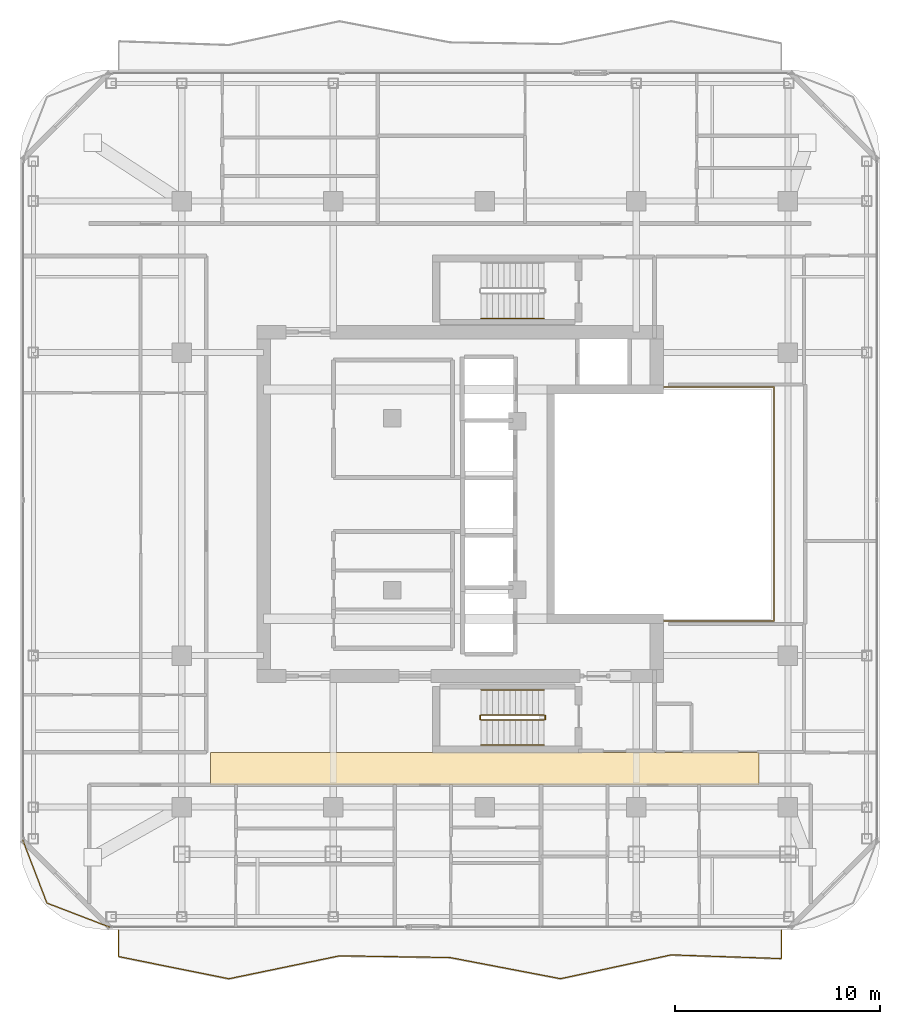
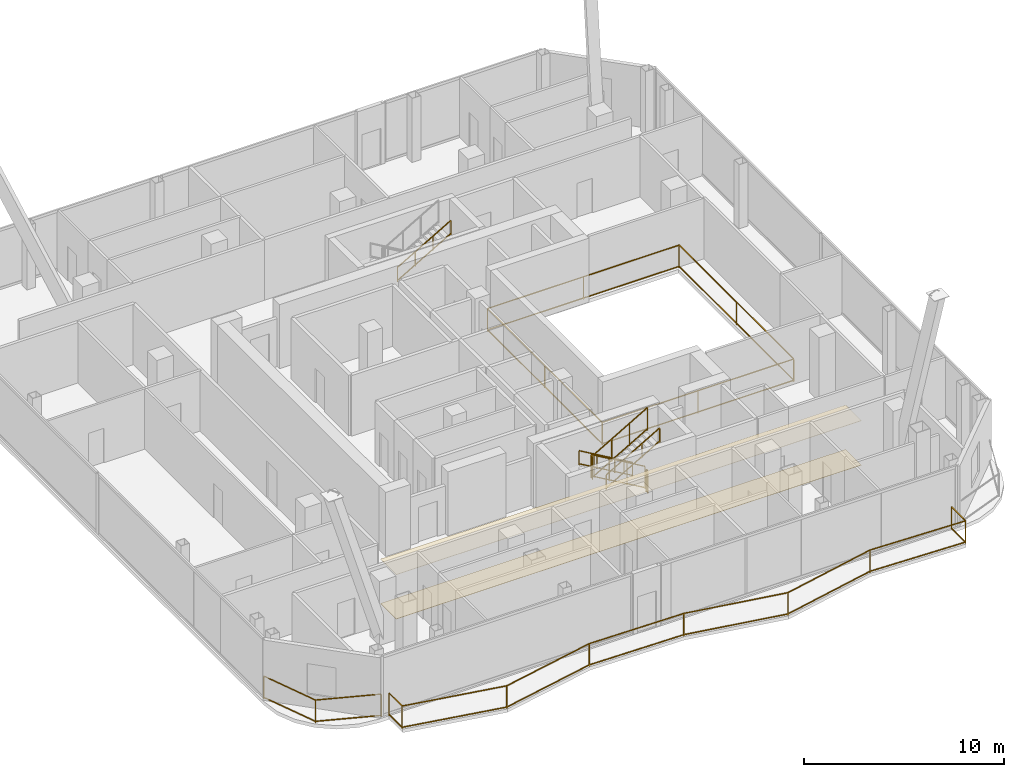
# One storey, part 22 of 24: 10 railings, 2 coverings.
"""IFC4 building model written with IfcOpenShell, lengths in metres."""

from ifc_helpers import new_model, si_unit, direction, frame, origin, origin_2d, place, context, subcontext, project, spatial, polyline, rectangle, outline, extrude, material, layer, layer_set, type_object, element, save


model = new_model("IFC4")

# Units and contexts
model_context = context("Model", 3, precision=1e-05, world=origin(), true_north=direction((0.0, 1.0)))
body_context = subcontext(model_context, "Body", "Model", "MODEL_VIEW")
ifc_project = project(units=[si_unit("LENGTHUNIT", "METRE"), si_unit("AREAUNIT", "SQUARE_METRE"), si_unit("VOLUMEUNIT", "CUBIC_METRE"), si_unit("PLANEANGLEUNIT", "RADIAN"), si_unit("MASSUNIT", "GRAM", prefix="KILO")], contexts=[model_context])

# Site, building, storey
site_placement = place(None, origin())
site = spatial("IfcSite", under=ifc_project, at=site_placement, CompositionType="ELEMENT")
building_placement = place(site_placement, origin())
building = spatial("IfcBuilding", under=site, at=building_placement, Name="Khorvyn Point Tower", CompositionType="ELEMENT")
storey_placement = place(building_placement, frame((0.0, 0.0, 301.5)))
storey = spatial("IfcBuildingStorey", under=building, at=storey_placement, Name="L74", CompositionType="ELEMENT", Elevation=301.5)

# Railings
ifc_material_1 = material(Name="Stainless steel 1.4401 and laminated glass", Category="steel")
railing_type_1 = type_object("IfcRailingType", Name="Crystal Atrium Smoke-Rated Perimeter Guardrail 1400", PredefinedType="GUARDRAIL", material=ifc_material_1)
railing_1_placement = place(storey_placement, frame((3.080078125, -5.719970703125, 0.0)))
element("IfcRailing", 1, at=railing_1_placement, inside=storey, type_object=railing_type_1, Name="L74 Crystal Atrium Perimeter Guardrail", PredefinedType="GUARDRAIL", context=body_context, shape_type="SweptSolid", body=[
    extrude(rectangle(XDim=0.048095703125, YDim=0.048095703125, at=origin_2d()), frame((0.0, 0.0, 1.3759765625), z_axis=(1.0, 0.0, 0.0), x_axis=(0.0, 1.0, 0.0)), (0.0, 0.0, 1.0), 11.0400390625),
    extrude(rectangle(XDim=0.048095703125, YDim=0.048095703125, at=origin_2d()), frame((0.0, 0.0, 0.080078125), z_axis=(1.0, 0.0, 0.0), x_axis=(0.0, 1.0, 0.0)), (0.0, 0.0, 1.0), 11.0400390625),
    extrude(rectangle(XDim=0.048095703125, YDim=0.048095703125, at=origin_2d()), frame((11.0400390625, 0.0, 1.3759765625), z_axis=(0.0, 1.0, 0.0), x_axis=(-1.0, 0.0, 0.0)), (0.0, 0.0, 1.0), 11.43994140625),
    extrude(rectangle(XDim=0.048095703125, YDim=0.048095703125, at=origin_2d()), frame((11.0400390625, 0.0, 0.080078125), z_axis=(0.0, 1.0, 0.0), x_axis=(-1.0, 0.0, 0.0)), (0.0, 0.0, 1.0), 11.43994140625),
    extrude(rectangle(XDim=0.048095703125, YDim=0.048095703125, at=origin_2d()), frame((11.0400390625, 11.43994140625, 1.3759765625), z_axis=(-1.0, 0.0, 0.0), x_axis=(0.0, -1.0, 0.0)), (0.0, 0.0, 1.0), 11.0400390625),
    extrude(rectangle(XDim=0.048095703125, YDim=0.048095703125, at=origin_2d()), frame((11.0400390625, 11.43994140625, 0.080078125), z_axis=(-1.0, 0.0, 0.0), x_axis=(0.0, -1.0, 0.0)), (0.0, 0.0, 1.0), 11.0400390625),
    extrude(rectangle(XDim=0.048095703125, YDim=0.048095703125, at=origin_2d()), frame((0.0, 11.43994140625, 1.3759765625), z_axis=(0.0, -1.0, 0.0), x_axis=(1.0, 0.0, 0.0)), (0.0, 0.0, 1.0), 11.409912109375),
    extrude(rectangle(XDim=0.048095703125, YDim=0.048095703125, at=origin_2d()), frame((0.0, 11.43994140625, 0.080078125), z_axis=(0.0, -1.0, 0.0), x_axis=(1.0, 0.0, 0.0)), (0.0, 0.0, 1.0), 11.409912109375),
    extrude(rectangle(XDim=0.0419921875, YDim=0.0419921875, at=origin_2d()), origin(), (0.0, 0.0, 1.0), 1.351806640625),
    extrude(rectangle(XDim=0.0419921875, YDim=0.0419921875, at=origin_2d()), frame((5.52001953125, 0.0, 0.0)), (0.0, 0.0, 1.0), 1.351806640625),
    extrude(rectangle(XDim=0.0419921875, YDim=0.0419921875, at=origin_2d()), frame((11.0400390625, 0.0, 0.0)), (0.0, 0.0, 1.0), 1.351806640625),
    extrude(rectangle(XDim=0.0419921875, YDim=0.0419921875, at=origin_2d()), frame((11.0400390625, 5.719970703125, 0.0)), (0.0, 0.0, 1.0), 1.351806640625),
    extrude(rectangle(XDim=0.0419921875, YDim=0.0419921875, at=origin_2d()), frame((11.0400390625, 11.43994140625, 0.0)), (0.0, 0.0, 1.0), 1.351806640625),
    extrude(rectangle(XDim=0.0419921875, YDim=0.0419921875, at=origin_2d()), frame((5.52001953125, 11.43994140625, 0.0)), (0.0, 0.0, 1.0), 1.351806640625),
    extrude(rectangle(XDim=0.0419921875, YDim=0.0419921875, at=origin_2d()), frame((0.0, 11.43994140625, 0.0)), (0.0, 0.0, 1.0), 1.351806640625),
    extrude(rectangle(XDim=0.0419921875, YDim=0.0419921875, at=origin_2d()), frame((0.0, 5.73486328125, 0.0)), (0.0, 0.0, 1.0), 1.351806640625),
    extrude(rectangle(XDim=0.0419921875, YDim=0.0419921875, at=origin_2d()), frame((0.0, 0.030029296875, 0.0)), (0.0, 0.0, 1.0), 1.351806640625),
])
ifc_material_2 = material(Name="Anodised aluminium 6063-T6 and laminated safety glass", Category="aluminium")
railing_type_2 = type_object("IfcRailingType", Name="Laminated Glass and Aluminium Balcony Guardrail 1400", PredefinedType="BALUSTRADE", material=ifc_material_2)
railing_2_placement = place(storey_placement, frame((-22.574462890625, -16.386474609375, 0.0)))
element("IfcRailing", 2, at=railing_2_placement, inside=storey, type_object=railing_type_2, Name="L74 Rounded Corner Edge Guardrail SW", PredefinedType="BALUSTRADE", context=body_context, shape_type="SweptSolid", body=[
    extrude(rectangle(XDim=0.048095703125, YDim=0.048095703125, at=origin_2d()), frame((0.0, 0.0, 1.3759765625), z_axis=(0.358367799998, -0.933580483903, 0.0), x_axis=(0.933580483903, 0.358367799998, 0.0)), (0.0, 0.0, 1.0), 3.319091796875),
    extrude(rectangle(XDim=0.048095703125, YDim=0.048095703125, at=origin_2d()), frame((0.0, 0.0, 0.080078125), z_axis=(0.358367799998, -0.933580483903, 0.0), x_axis=(0.933580483903, 0.358367799998, 0.0)), (0.0, 0.0, 1.0), 3.319091796875),
    extrude(rectangle(XDim=0.048095703125, YDim=0.048095703125, at=origin_2d()), frame((1.189453125, -3.0986328125, 1.3759765625), z_axis=(0.933595647299, -0.358328295484, 0.0), x_axis=(0.358328295484, 0.933595647299, 0.0)), (0.0, 0.0, 1.0), 3.31884765625),
    extrude(rectangle(XDim=0.048095703125, YDim=0.048095703125, at=origin_2d()), frame((1.189453125, -3.0986328125, 0.080078125), z_axis=(0.933595647299, -0.358328295484, 0.0), x_axis=(0.358328295484, 0.933595647299, 0.0)), (0.0, 0.0, 1.0), 3.31884765625),
    extrude(rectangle(XDim=0.0419921875, YDim=0.0419921875, at=origin_2d()), origin(), (0.0, 0.0, 1.0), 1.351806640625),
    extrude(rectangle(XDim=0.0419921875, YDim=0.0419921875, at=origin_2d()), frame((1.189453125, -3.0986328125, 0.0)), (0.0, 0.0, 1.0), 1.351806640625),
    extrude(rectangle(XDim=0.0419921875, YDim=0.0419921875, at=origin_2d()), frame((4.287841796875, -4.287841796875, 0.0)), (0.0, 0.0, 1.0), 1.351806640625),
])
railing_3_placement = place(storey_placement, frame((-17.89990234375, -20.800048828125, 0.0)))
element("IfcRailing", 3, at=railing_3_placement, inside=storey, type_object=railing_type_2, Name="L74 South Balcony Guardrail", PredefinedType="BALUSTRADE", context=body_context, shape_type="SweptSolid", body=[
    extrude(rectangle(XDim=0.048095703125, YDim=0.048095703125, at=origin_2d()), frame((0.0, 0.0, 1.3759765625), z_axis=(0.0, -1.0, 0.0), x_axis=(1.0, 0.0, 0.0)), (0.0, 0.0, 1.0), 1.294921875),
    extrude(rectangle(XDim=0.048095703125, YDim=0.048095703125, at=origin_2d()), frame((0.0, 0.0, 0.080078125), z_axis=(0.0, -1.0, 0.0), x_axis=(1.0, 0.0, 0.0)), (0.0, 0.0, 1.0), 1.294921875),
    extrude(rectangle(XDim=0.048095703125, YDim=0.048095703125, at=origin_2d()), frame((0.0, -1.294921875, 1.3759765625), z_axis=(0.980320704809, -0.197411538983, 0.0), x_axis=(0.197411538983, 0.980320704809, 0.0)), (0.0, 0.0, 1.0), 5.50830078125),
    extrude(rectangle(XDim=0.048095703125, YDim=0.048095703125, at=origin_2d()), frame((0.0, -1.294921875, 0.080078125), z_axis=(0.980320704809, -0.197411538983, 0.0), x_axis=(0.197411538983, 0.980320704809, 0.0)), (0.0, 0.0, 1.0), 5.50830078125),
    extrude(rectangle(XDim=0.048095703125, YDim=0.048095703125, at=origin_2d()), frame((5.39990234375, -2.38232421875, 1.3759765625), z_axis=(0.979164905704, 0.203066706866, 0.0), x_axis=(-0.203066706866, 0.979164905704, 0.0)), (0.0, 0.0, 1.0), 5.514892578125),
    extrude(rectangle(XDim=0.048095703125, YDim=0.048095703125, at=origin_2d()), frame((5.39990234375, -2.38232421875, 0.080078125), z_axis=(0.979164905704, 0.203066706866, 0.0), x_axis=(-0.203066706866, 0.979164905704, 0.0)), (0.0, 0.0, 1.0), 5.514892578125),
    extrude(rectangle(XDim=0.048095703125, YDim=0.048095703125, at=origin_2d()), frame((10.7998046875, -1.262451171875, 1.3759765625), z_axis=(0.99988188096, -0.015369584499, 0.0), x_axis=(0.015369584499, 0.99988188096, 0.0)), (0.0, 0.0, 1.0), 5.40087890625),
    extrude(rectangle(XDim=0.048095703125, YDim=0.048095703125, at=origin_2d()), frame((10.7998046875, -1.262451171875, 0.080078125), z_axis=(0.99988188096, -0.015369584499, 0.0), x_axis=(0.015369584499, 0.99988188096, 0.0)), (0.0, 0.0, 1.0), 5.40087890625),
    extrude(rectangle(XDim=0.048095703125, YDim=0.048095703125, at=origin_2d()), frame((16.199951171875, -1.345458984375, 1.3759765625), z_axis=(0.982190951701, -0.187885428911, 0.0), x_axis=(0.187885428911, 0.982190951701, 0.0)), (0.0, 0.0, 1.0), 5.497802734375),
    extrude(rectangle(XDim=0.048095703125, YDim=0.048095703125, at=origin_2d()), frame((16.199951171875, -1.345458984375, 0.080078125), z_axis=(0.982190951701, -0.187885428911, 0.0), x_axis=(0.187885428911, 0.982190951701, 0.0)), (0.0, 0.0, 1.0), 5.497802734375),
    extrude(rectangle(XDim=0.048095703125, YDim=0.048095703125, at=origin_2d()), frame((21.599853515625, -2.37841796875, 1.3759765625), z_axis=(0.977609904647, 0.210425460284, 0.0), x_axis=(-0.210425460284, 0.977609904647, 0.0)), (0.0, 0.0, 1.0), 5.52392578125),
    extrude(rectangle(XDim=0.048095703125, YDim=0.048095703125, at=origin_2d()), frame((21.599853515625, -2.37841796875, 0.080078125), z_axis=(0.977609904647, 0.210425460284, 0.0), x_axis=(-0.210425460284, 0.977609904647, 0.0)), (0.0, 0.0, 1.0), 5.52392578125),
    extrude(rectangle(XDim=0.048095703125, YDim=0.048095703125, at=origin_2d()), frame((27.0, -1.216064453125, 1.3759765625), z_axis=(0.999434730171, -0.033618746688, 0.0), x_axis=(0.033618746688, 0.999434730171, 0.0)), (0.0, 0.0, 1.0), 5.403076171875),
    extrude(rectangle(XDim=0.048095703125, YDim=0.048095703125, at=origin_2d()), frame((27.0, -1.216064453125, 0.080078125), z_axis=(0.999434730171, -0.033618746688, 0.0), x_axis=(0.033618746688, 0.999434730171, 0.0)), (0.0, 0.0, 1.0), 5.403076171875),
    extrude(rectangle(XDim=0.048095703125, YDim=0.048095703125, at=origin_2d()), frame((32.39990234375, -1.397705078125, 1.3759765625), z_axis=(0.0, 1.0, 0.0), x_axis=(-1.0, 0.0, 0.0)), (0.0, 0.0, 1.0), 1.397705078125),
    extrude(rectangle(XDim=0.048095703125, YDim=0.048095703125, at=origin_2d()), frame((32.39990234375, -1.397705078125, 0.080078125), z_axis=(0.0, 1.0, 0.0), x_axis=(-1.0, 0.0, 0.0)), (0.0, 0.0, 1.0), 1.397705078125),
    extrude(rectangle(XDim=0.0419921875, YDim=0.0419921875, at=origin_2d()), origin(), (0.0, 0.0, 1.0), 1.351806640625),
    extrude(rectangle(XDim=0.0419921875, YDim=0.0419921875, at=origin_2d()), frame((0.0, -1.294921875, 0.0)), (0.0, 0.0, 1.0), 1.351806640625),
    extrude(rectangle(XDim=0.0419921875, YDim=0.0419921875, at=origin_2d()), frame((5.39990234375, -2.38232421875, 0.0)), (0.0, 0.0, 1.0), 1.351806640625),
    extrude(rectangle(XDim=0.0419921875, YDim=0.0419921875, at=origin_2d()), frame((10.7998046875, -1.262451171875, 0.0)), (0.0, 0.0, 1.0), 1.351806640625),
    extrude(rectangle(XDim=0.0419921875, YDim=0.0419921875, at=origin_2d()), frame((16.199951171875, -1.345458984375, 0.0)), (0.0, 0.0, 1.0), 1.351806640625),
    extrude(rectangle(XDim=0.0419921875, YDim=0.0419921875, at=origin_2d()), frame((21.599853515625, -2.37841796875, 0.0)), (0.0, 0.0, 1.0), 1.351806640625),
    extrude(rectangle(XDim=0.0419921875, YDim=0.0419921875, at=origin_2d()), frame((27.0, -1.216064453125, 0.0)), (0.0, 0.0, 1.0), 1.351806640625),
    extrude(rectangle(XDim=0.0419921875, YDim=0.0419921875, at=origin_2d()), frame((32.39990234375, -1.397705078125, 0.0)), (0.0, 0.0, 1.0), 1.351806640625),
    extrude(rectangle(XDim=0.0419921875, YDim=0.0419921875, at=origin_2d()), frame((32.39990234375, 0.0, 0.0)), (0.0, 0.0, 1.0), 1.351806640625),
])

# Coverings
ifc_material_3 = material(Name="Mineral-fibre acoustic ceiling board", Category="gypsum")
ifc_layer_1 = layer(ifc_material_3, 0.02001953125)
ifc_layer_set_1 = layer_set([ifc_layer_1], Name="Perforated Mineral-Fibre Acoustic Suspended Ceiling 20")
covering_type_1 = type_object("IfcCoveringType", Name="Perforated Mineral-Fibre Acoustic Suspended Ceiling 20", PredefinedType="CEILING", material=ifc_layer_set_1)
covering_1_placement = place(storey_placement, frame((0.0, 0.0, 2.699951171875)))
element("IfcCovering", 4, at=covering_1_placement, inside=storey, type_object=covering_type_1, Name="L74 South Corridor Acoustic Ceiling", PredefinedType="CEILING", context=body_context, shape_type="SweptSolid", body=[
    extrude(outline(polyline([(-13.39990234375, -13.7099609375), (13.39990234375, -13.7099609375), (13.39990234375, -12.139892578125), (-13.39990234375, -12.139892578125), (-13.39990234375, -13.7099609375)])), origin(), (0.0, 0.0, 1.0), 0.02001953125),
])
ifc_material_4 = material(Name="Vitrified porcelain terrazzo tile", Category="ceramic")
ifc_layer_2 = layer(ifc_material_4, 0.01806640625)
ifc_layer_set_2 = layer_set([ifc_layer_2], Name="Porcelain Terrazzo Corridor Floor Finish Tile 18")
covering_type_2 = type_object("IfcCoveringType", Name="Porcelain Terrazzo Corridor Floor Finish Tile 18", PredefinedType="FLOORING", material=ifc_layer_set_2)
covering_2_placement = place(storey_placement, origin())
element("IfcCovering", 5, at=covering_2_placement, inside=storey, type_object=covering_type_2, Name="L74 South Corridor Terrazzo Flooring", PredefinedType="FLOORING", context=body_context, shape_type="SweptSolid", body=[
    extrude(outline(polyline([(-13.39990234375, -13.7099609375), (13.39990234375, -13.7099609375), (13.39990234375, -12.139892578125), (-13.39990234375, -12.139892578125), (-13.39990234375, -13.7099609375)])), origin(), (0.0, 0.0, 1.0), 0.01806640625),
])

# Railings
ifc_material_5 = material(Name="Stainless steel 1.4301", Category="steel")
railing_type_3 = type_object("IfcRailingType", Name="Stainless Steel 304 Stair Pitch Handrail 900", PredefinedType="HANDRAIL", material=ifc_material_5)
railing_4_placement = place(storey_placement, frame((2.89990234375, -9.070068359375, 0.16259765625)))
element("IfcRailing", 6, at=railing_4_placement, inside=storey, type_object=railing_type_3, Name="L74 ST-01 stair handrail 1", PredefinedType="HANDRAIL", context=body_context, shape_type="SweptSolid", body=[
    extrude(rectangle(XDim=0.048095703125, YDim=0.048095703125, at=origin_2d()), frame((0.0, 0.0, 0.8759765625), z_axis=(-0.864903211148, 0.0, 0.501938676878), x_axis=(0.0, -1.0, 0.0)), (0.0, 0.0, 1.0), 3.560791015625),
    extrude(rectangle(XDim=0.048095703125, YDim=0.048095703125, at=origin_2d()), frame((0.0, 0.0, 0.080078125), z_axis=(-0.864903211148, 0.0, 0.501938676878), x_axis=(0.0, -1.0, 0.0)), (0.0, 0.0, 1.0), 3.560791015625),
    extrude(rectangle(XDim=0.0419921875, YDim=0.0419921875, at=origin_2d()), origin(), (0.0, 0.0, 1.0), 0.851806640625),
    extrude(rectangle(XDim=0.0419921875, YDim=0.0419921875, at=origin_2d()), frame((-1.026611328125, 0.0, 0.595703125)), (0.0, 0.0, 1.0), 0.851806640625),
    extrude(rectangle(XDim=0.0419921875, YDim=0.0419921875, at=origin_2d()), frame((-2.05322265625, 0.0, 1.191650390625)), (0.0, 0.0, 1.0), 0.851806640625),
    extrude(rectangle(XDim=0.0419921875, YDim=0.0419921875, at=origin_2d()), frame((-3.079833984375, 0.0, 1.787353515625)), (0.0, 0.0, 1.0), 0.851806640625),
])
for number, where, name in (
    (7, (-0.179931640625, -11.77001953125, 2.112548828125), "L74 ST-01 stair handrail 2"),
    (8, (-0.179931640625, 9.070068359375, 2.112548828125), "L74 ST-02 stair handrail 2"),
):
    element("IfcRailing", number, at=place(storey_placement, frame(where)), inside=storey, type_object=railing_type_3, Name=name, PredefinedType="HANDRAIL", context=body_context, shape_type="SweptSolid", body=[
        extrude(rectangle(XDim=0.048095703125, YDim=0.048095703125, at=origin_2d()), frame((0.0, 0.0, 0.8759765625), z_axis=(0.864903211148, 0.0, 0.501938676878), x_axis=(0.0, 1.0, 0.0)), (0.0, 0.0, 1.0), 3.560791015625),
        extrude(rectangle(XDim=0.048095703125, YDim=0.048095703125, at=origin_2d()), frame((0.0, 0.0, 0.080078125), z_axis=(0.864903211148, 0.0, 0.501938676878), x_axis=(0.0, 1.0, 0.0)), (0.0, 0.0, 1.0), 3.560791015625),
        extrude(rectangle(XDim=0.0419921875, YDim=0.0419921875, at=origin_2d()), origin(), (0.0, 0.0, 1.0), 0.851806640625),
        extrude(rectangle(XDim=0.0419921875, YDim=0.0419921875, at=origin_2d()), frame((1.026611328125, 0.0, 0.595703125)), (0.0, 0.0, 1.0), 0.851806640625),
        extrude(rectangle(XDim=0.0419921875, YDim=0.0419921875, at=origin_2d()), frame((2.05322265625, 0.0, 1.191650390625)), (0.0, 0.0, 1.0), 0.851806640625),
        extrude(rectangle(XDim=0.0419921875, YDim=0.0419921875, at=origin_2d()), frame((3.079833984375, 0.0, 1.787353515625)), (0.0, 0.0, 1.0), 0.851806640625),
    ])
railing_type_4 = type_object("IfcRailingType", Name="Stainless Steel 304 Stair Well Guardrail 1400", PredefinedType="GUARDRAIL", material=ifc_material_5)
railing_5_placement = place(storey_placement, frame((2.89990234375, -10.2900390625, 0.16259765625)))
element("IfcRailing", 9, at=railing_5_placement, inside=storey, type_object=railing_type_4, Name="L74 ST-01 stair guard 1", PredefinedType="GUARDRAIL", context=body_context, shape_type="SweptSolid", body=[
    extrude(rectangle(XDim=0.048095703125, YDim=0.048095703125, at=origin_2d()), frame((0.0, 0.0, 1.3759765625), z_axis=(-0.864903211148, 0.0, 0.501938676878), x_axis=(0.0, -1.0, 0.0)), (0.0, 0.0, 1.0), 3.560791015625),
    extrude(rectangle(XDim=0.048095703125, YDim=0.048095703125, at=origin_2d()), frame((0.0, 0.0, 0.080078125), z_axis=(-0.864903211148, 0.0, 0.501938676878), x_axis=(0.0, -1.0, 0.0)), (0.0, 0.0, 1.0), 3.560791015625),
    extrude(rectangle(XDim=0.0419921875, YDim=0.0419921875, at=origin_2d()), origin(), (0.0, 0.0, 1.0), 1.351806640625),
    extrude(rectangle(XDim=0.0419921875, YDim=0.0419921875, at=origin_2d()), frame((-1.026611328125, 0.0, 0.595703125)), (0.0, 0.0, 1.0), 1.351806640625),
    extrude(rectangle(XDim=0.0419921875, YDim=0.0419921875, at=origin_2d()), frame((-2.05322265625, 0.0, 1.191650390625)), (0.0, 0.0, 1.0), 1.351806640625),
    extrude(rectangle(XDim=0.0419921875, YDim=0.0419921875, at=origin_2d()), frame((-3.079833984375, 0.0, 1.787353515625)), (0.0, 0.0, 1.0), 1.351806640625),
])
railing_6_placement = place(storey_placement, frame((-0.22998046875, -10.340087890625, 1.949951171875)))
element("IfcRailing", 10, at=railing_6_placement, inside=storey, type_object=railing_type_4, Name="L74 ST-01 stair guard 2", PredefinedType="GUARDRAIL", context=body_context, shape_type="SweptSolid", body=[
    extrude(rectangle(XDim=0.048095703125, YDim=0.048095703125, at=origin_2d()), frame((0.0, 0.0, 1.3759765625), z_axis=(0.0, -1.0, 0.0), x_axis=(1.0, 0.0, 0.0)), (0.0, 0.0, 1.0), 0.159912109375),
    extrude(rectangle(XDim=0.048095703125, YDim=0.048095703125, at=origin_2d()), frame((0.0, 0.0, 0.080078125), z_axis=(0.0, -1.0, 0.0), x_axis=(1.0, 0.0, 0.0)), (0.0, 0.0, 1.0), 0.159912109375),
    extrude(rectangle(XDim=0.0419921875, YDim=0.0419921875, at=origin_2d()), origin(), (0.0, 0.0, 1.0), 1.351806640625),
    extrude(rectangle(XDim=0.0419921875, YDim=0.0419921875, at=origin_2d()), frame((0.0, -0.159912109375, 0.0)), (0.0, 0.0, 1.0), 1.351806640625),
])
railing_7_placement = place(storey_placement, frame((-0.179931640625, -10.550048828125, 2.112548828125)))
element("IfcRailing", 11, at=railing_7_placement, inside=storey, type_object=railing_type_4, Name="L74 ST-01 stair guard 3", PredefinedType="GUARDRAIL", context=body_context, shape_type="SweptSolid", body=[
    extrude(rectangle(XDim=0.048095703125, YDim=0.048095703125, at=origin_2d()), frame((0.0, 0.0, 1.3759765625), z_axis=(0.864903211148, 0.0, 0.501938676878), x_axis=(0.0, 1.0, 0.0)), (0.0, 0.0, 1.0), 3.560791015625),
    extrude(rectangle(XDim=0.048095703125, YDim=0.048095703125, at=origin_2d()), frame((0.0, 0.0, 0.080078125), z_axis=(0.864903211148, 0.0, 0.501938676878), x_axis=(0.0, 1.0, 0.0)), (0.0, 0.0, 1.0), 3.560791015625),
    extrude(rectangle(XDim=0.0419921875, YDim=0.0419921875, at=origin_2d()), origin(), (0.0, 0.0, 1.0), 1.351806640625),
    extrude(rectangle(XDim=0.0419921875, YDim=0.0419921875, at=origin_2d()), frame((1.026611328125, 0.0, 0.595703125)), (0.0, 0.0, 1.0), 1.351806640625),
    extrude(rectangle(XDim=0.0419921875, YDim=0.0419921875, at=origin_2d()), frame((2.05322265625, 0.0, 1.191650390625)), (0.0, 0.0, 1.0), 1.351806640625),
    extrude(rectangle(XDim=0.0419921875, YDim=0.0419921875, at=origin_2d()), frame((3.079833984375, 0.0, 1.787353515625)), (0.0, 0.0, 1.0), 1.351806640625),
])
railing_8_placement = place(storey_placement, frame((2.949951171875, -10.340087890625, 0.0)))
element("IfcRailing", 12, at=railing_8_placement, inside=storey, type_object=railing_type_4, Name="L74 ST-01 stair guard 4", PredefinedType="GUARDRAIL", context=body_context, shape_type="SweptSolid", body=[
    extrude(rectangle(XDim=0.048095703125, YDim=0.048095703125, at=origin_2d()), frame((0.0, 0.0, 1.3759765625), z_axis=(0.0, -1.0, 0.0), x_axis=(1.0, 0.0, 0.0)), (0.0, 0.0, 1.0), 0.159912109375),
    extrude(rectangle(XDim=0.048095703125, YDim=0.048095703125, at=origin_2d()), frame((0.0, 0.0, 0.080078125), z_axis=(0.0, -1.0, 0.0), x_axis=(1.0, 0.0, 0.0)), (0.0, 0.0, 1.0), 0.159912109375),
    extrude(rectangle(XDim=0.0419921875, YDim=0.0419921875, at=origin_2d()), origin(), (0.0, 0.0, 1.0), 1.351806640625),
    extrude(rectangle(XDim=0.0419921875, YDim=0.0419921875, at=origin_2d()), frame((0.0, -0.159912109375, 0.0)), (0.0, 0.0, 1.0), 1.351806640625),
])

save(model, "model.ifc")
